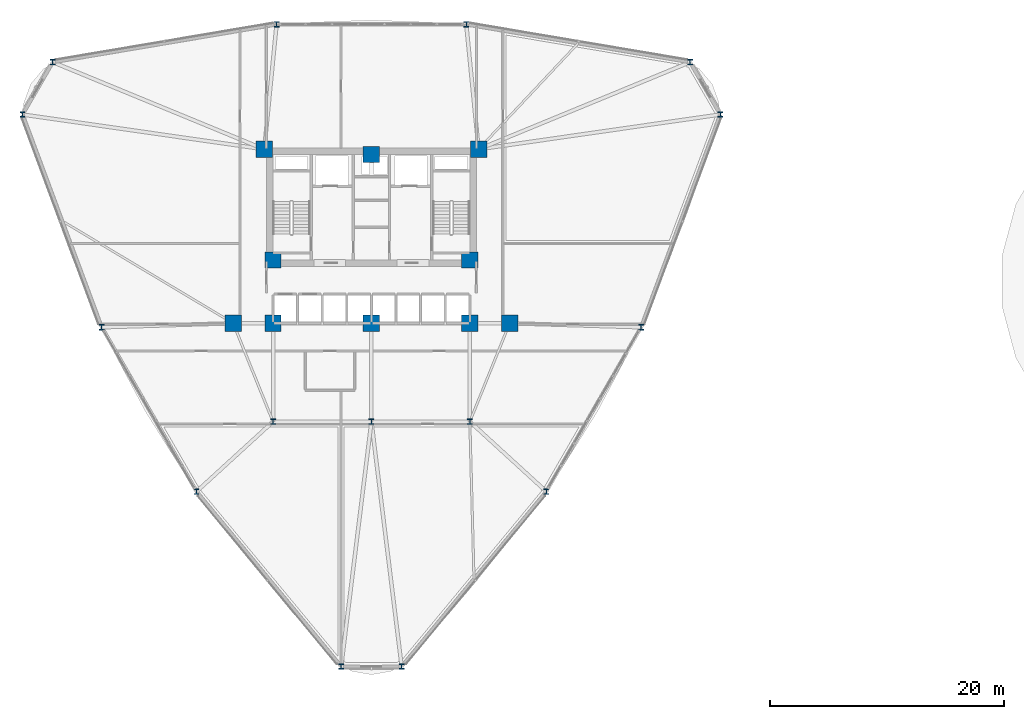
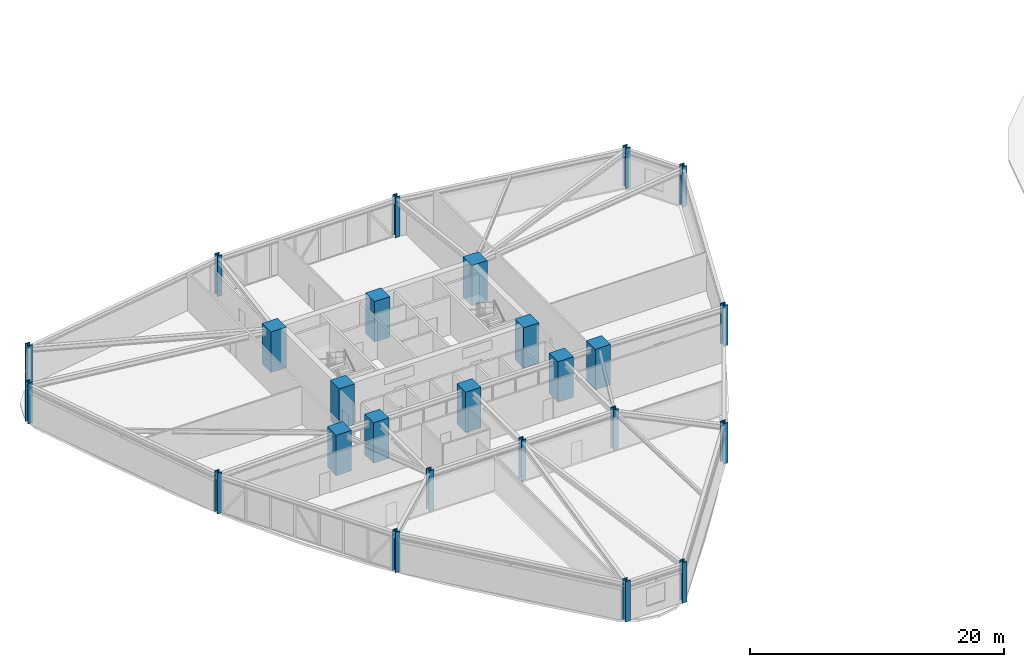
# One storey, part 1 of 23: 25 columns.
"""IFC4 building model written with IfcOpenShell, lengths in metres."""

import ifcopenshell
import ifcopenshell.guid

model = None  # the IFC model being written
_history = None  # IfcOwnerHistory: only IFC2X3 demands one
_inside = {}  # id of a spatial element -> (the spatial element, [elements in it])
_under = {}  # id of a project, library or spatial element -> (it, [spatial elements below it])
_declared = {}  # id of a project -> (the project, [libraries it declares])
_typed = {}  # id of a type object -> (the type object, [elements of that type])
_made_of = {}  # id of a material, layer set ... -> (it, [elements and type objects made of it])


def new_model(schema):
    """Start an empty IFC model of exactly this schema.

    Asked for "IFC4X3", IfcOpenShell would pick the latest addendum, in which some entities
    have other attributes; the version numbers below select the first issue.
    IFC2X3 requires an IfcOwnerHistory on every rooted entity: one is made here for all.
    """
    global model, _history
    if schema == "IFC4X3":
        model = ifcopenshell.file(schema_version=(4, 3, 0, 0))
    else:
        model = ifcopenshell.file(schema=schema)
    _inside.clear()
    _under.clear()
    _declared.clear()
    _typed.clear()
    _made_of.clear()
    _history = None
    if model.schema == "IFC2X3":
        org = make("IfcOrganization", Name="unknown")
        user = make(
            "IfcPersonAndOrganization",
            ThePerson=make("IfcPerson", FamilyName="unknown"),
            TheOrganization=org,
        )
        app = make(
            "IfcApplication",
            ApplicationDeveloper=org,
            Version="unknown",
            ApplicationFullName="unknown",
            ApplicationIdentifier="unknown",
        )
        _history = make(
            "IfcOwnerHistory",
            OwningUser=user,
            OwningApplication=app,
            ChangeAction="ADDED",
            CreationDate=0,
        )
    return model


def make(cls, **values):
    """One entity of the class cls with the attributes given. An attribute that is None is left unset."""
    return model.create_entity(
        cls, **{name: value for name, value in values.items() if value is not None}
    )


def rooted(cls, **values):
    """An entity with a GlobalId (a new one), such as an element, a storey or a relation."""
    return make(cls, GlobalId=ifcopenshell.guid.new(), OwnerHistory=_history, **values)


def si_unit(unit_type, name, prefix=None):
    """IfcSIUnit, for example si_unit("LENGTHUNIT", "METRE", prefix="MILLI")."""
    return make("IfcSIUnit", UnitType=unit_type, Prefix=prefix, Name=name)


def derived_unit(unit_type, elements):
    """IfcDerivedUnit: a product of units, each with its exponent."""
    return make(
        "IfcDerivedUnit",
        Elements=[
            make("IfcDerivedUnitElement", Unit=unit, Exponent=power)
            for unit, power in elements
        ],
        UnitType=unit_type,
    )


def assignment(units):
    """IfcUnitAssignment: the units of a project."""
    return None if units is None else make("IfcUnitAssignment", Units=units)


def point(xyz):
    """IfcCartesianPoint."""
    return None if xyz is None else make("IfcCartesianPoint", Coordinates=xyz)


def direction(xyz):
    """IfcDirection."""
    return None if xyz is None else make("IfcDirection", DirectionRatios=xyz)


def frame(location, z_axis=None, x_axis=None):
    """IfcAxis2Placement3D, a coordinate frame: its origin and axes. An axis left out is left unset."""
    return make(
        "IfcAxis2Placement3D",
        Location=point(location),
        Axis=direction(z_axis),
        RefDirection=direction(x_axis),
    )


def frame_2d(location, x_axis=None):
    """IfcAxis2Placement2D, a coordinate frame in the plane: its origin and x axis."""
    return make(
        "IfcAxis2Placement2D", Location=point(location), RefDirection=direction(x_axis)
    )


def origin():
    """The frame at (0, 0, 0) with its axes left unset."""
    return frame((0.0, 0.0, 0.0))


def origin_2d():
    """The frame at (0, 0) in the plane with its x axis left unset."""
    return frame_2d((0.0, 0.0))


def place(relative_to, where):
    """IfcLocalPlacement: puts the frame where relative to a parent placement (None: the world)."""
    return make(
        "IfcLocalPlacement", PlacementRelTo=relative_to, RelativePlacement=where
    )


def context(
    kind, dimensions, precision=None, world=None, true_north=None, identifier=None
):
    """IfcGeometricRepresentationContext, for example the 3D "Model" context."""
    return make(
        "IfcGeometricRepresentationContext",
        ContextIdentifier=identifier,
        ContextType=kind,
        CoordinateSpaceDimension=dimensions,
        Precision=precision,
        WorldCoordinateSystem=world,
        TrueNorth=true_north,
    )


def subcontext(parent, identifier, kind, view, scale=None):
    """IfcGeometricRepresentationSubContext, for example "Body" below "Model"."""
    return make(
        "IfcGeometricRepresentationSubContext",
        ContextIdentifier=identifier,
        ContextType=kind,
        ParentContext=parent,
        TargetScale=scale,
        TargetView=view,
    )


def project(units=None, contexts=None):
    """IfcProject with its units and contexts."""
    return rooted(
        "IfcProject",
        Name="project",
        RepresentationContexts=contexts,
        UnitsInContext=assignment(units),
    )


def spatial(cls, under=None, at=None, **own):
    """A site, building, storey or space (cls), placed at a placement, below another one or the project."""
    s = rooted(cls, ObjectPlacement=at, **own)
    if under is not None:
        _under.setdefault(under.id(), (under, []))[1].append(s)
    return s


def profile(cls, at=None, kind="AREA", **sizes):
    """A parametric profile (cls). Its sizes go by their IFC names, for example OverallWidth=200.0."""
    return make(cls, ProfileType=kind, Position=at, **sizes)


def rectangle(**sizes):
    """IfcRectangleProfileDef."""
    return profile("IfcRectangleProfileDef", **sizes)


def i_section(**sizes):
    """IfcIShapeProfileDef."""
    return profile("IfcIShapeProfileDef", **sizes)


def extrude(swept, where, along, depth):
    """IfcExtrudedAreaSolid: the profile swept, set in the frame where, extruded along a direction by depth."""
    return make(
        "IfcExtrudedAreaSolid",
        SweptArea=swept,
        Position=where,
        ExtrudedDirection=direction(along),
        Depth=depth,
    )


def shape(context_of_items, identifier, shape_type, items):
    """IfcShapeRepresentation: the items that make up one representation, for example the "Body"."""
    return make(
        "IfcShapeRepresentation",
        ContextOfItems=context_of_items,
        RepresentationIdentifier=identifier,
        RepresentationType=shape_type,
        Items=items,
    )


def source(mapping_origin, context_of_items, identifier, shape_type, items):
    """IfcRepresentationMap: a shape defined once, which mapped items show again and again."""
    return make(
        "IfcRepresentationMap",
        MappingOrigin=mapping_origin,
        MappedRepresentation=shape(context_of_items, identifier, shape_type, items),
    )


def transform(
    local_origin,
    x_axis=None,
    y_axis=None,
    z_axis=None,
    scale=None,
    scale2=None,
    scale3=None,
    uniform=True,
):
    """IfcCartesianTransformationOperator3D, or its non-uniform kind. x_axis, y_axis, z_axis: its Axis1, 2, 3."""
    if uniform:
        return make(
            "IfcCartesianTransformationOperator3D",
            Axis1=direction(x_axis),
            Axis2=direction(y_axis),
            LocalOrigin=point(local_origin),
            Scale=scale,
            Axis3=direction(z_axis),
        )
    return make(
        "IfcCartesianTransformationOperator3DnonUniform",
        Axis1=direction(x_axis),
        Axis2=direction(y_axis),
        LocalOrigin=point(local_origin),
        Scale=scale,
        Axis3=direction(z_axis),
        Scale2=scale2,
        Scale3=scale3,
    )


def mapped(mapping_source, mapping_target):
    """IfcMappedItem: shows the shape of a source again, moved by a transform."""
    return make(
        "IfcMappedItem", MappingSource=mapping_source, MappingTarget=mapping_target
    )


def material(Name=None, Category=None):
    """IfcMaterial."""
    return make("IfcMaterial", Name=Name, Category=Category)


def material_profile(
    of_material, cross_section, Name=None, Category=None, Priority=None
):
    """IfcMaterialProfile: a cross section and its material."""
    return make(
        "IfcMaterialProfile",
        Name=Name,
        Material=of_material,
        Profile=cross_section,
        Priority=Priority,
        Category=Category,
    )


def profile_set(profiles, Name=None, composite=None):
    """IfcMaterialProfileSet."""
    return make(
        "IfcMaterialProfileSet",
        Name=Name,
        MaterialProfiles=profiles,
        CompositeProfile=composite,
    )


def made_of(thing, what):
    """Note that an element or type object is made of a material, layer set ...; save() writes the relation."""
    if what is not None:
        _made_of.setdefault(what.id(), (what, []))[1].append(thing)
    return thing


def type_object(cls, material=None, **own):
    """A type object (cls), such as IfcWallType, which elements share."""
    return made_of(rooted(cls, **own), material)


def element(
    cls,
    number,
    at=None,
    inside=None,
    cuts=None,
    type_object=None,
    material=None,
    context=None,
    identifier="Body",
    shape_type=None,
    held_by="IfcProductDefinitionShape",
    body=None,
    shapes=None,
    **own,
):
    """One element of the class cls, such as IfcWall. Its Tag is "e" and its number.

    at: its placement. inside: the storey or other place that contains it. cuts: it is an
    opening in that element (IfcRelVoidsElement). A single representation is given by context,
    identifier, shape_type and body (its items); several are given by shapes. held_by: the class
    of the entity that holds the representations. save() writes the other relations.
    """
    e = rooted(cls, Tag="e%d" % number, ObjectPlacement=at, **own)
    if body is not None:
        shapes = [shape(context, identifier, shape_type, body)]
    if shapes is not None:
        e.Representation = make(held_by, Representations=shapes)
    if inside is not None:
        _inside.setdefault(inside.id(), (inside, []))[1].append(e)
    if cuts is not None:
        rooted(
            "IfcRelVoidsElement", RelatingBuildingElement=cuts, RelatedOpeningElement=e
        )
    if type_object is not None:
        _typed.setdefault(type_object.id(), (type_object, []))[1].append(e)
    return made_of(e, material)


def aggregate(whole, parts):
    """IfcRelAggregates: a whole, such as a stair, and the parts it consists of."""
    return rooted("IfcRelAggregates", RelatingObject=whole, RelatedObjects=parts)


def save(model, path):
    """Write the relations noted so far, then the file.

    IfcRelAggregates (storeys below a building ...), IfcRelContainedInSpatialStructure (elements
    in a storey), IfcRelDefinesByType, IfcRelAssociatesMaterial and IfcRelDeclares: one each for
    every whole, place, type object, material and project.
    """
    for whole, parts in _under.values():
        aggregate(whole, parts)
    for where, things in _inside.values():
        rooted(
            "IfcRelContainedInSpatialStructure",
            RelatedElements=things,
            RelatingStructure=where,
        )
    for kind, things in _typed.values():
        rooted("IfcRelDefinesByType", RelatedObjects=things, RelatingType=kind)
    for what, things in _made_of.values():
        rooted("IfcRelAssociatesMaterial", RelatedObjects=things, RelatingMaterial=what)
    for by, libraries in _declared.values():
        rooted("IfcRelDeclares", RelatingContext=by, RelatedDefinitions=libraries)
    model.write(path)


model = new_model("IFC4")

# Units and contexts
model_context = context("Model", 3, precision=1e-05, world=origin(), true_north=direction((0.0, 1.0)))
body_context = subcontext(model_context, "Body", "Model", "MODEL_VIEW")
ifc_project = project(units=[si_unit("LENGTHUNIT", "METRE"), si_unit("AREAUNIT", "SQUARE_METRE"), si_unit("VOLUMEUNIT", "CUBIC_METRE"), si_unit("PLANEANGLEUNIT", "RADIAN"), si_unit("MASSUNIT", "GRAM", prefix="KILO"), derived_unit("THERMALTRANSMITTANCEUNIT", [(si_unit("POWERUNIT", "WATT"), 1), (si_unit("LENGTHUNIT", "METRE"), -2), (si_unit("THERMODYNAMICTEMPERATUREUNIT", "KELVIN"), -1)])], contexts=[model_context])

# Site, building, storey
site_placement = place(None, origin())
site = spatial("IfcSite", under=ifc_project, at=site_placement, CompositionType="ELEMENT")
building_placement = place(site_placement, origin())
building = spatial("IfcBuilding", under=site, at=building_placement, Name="Korsvarv Bourse and Concert Hall", CompositionType="ELEMENT")
storey_placement = place(building_placement, frame((0.0, 0.0, 24.0)))
storey = spatial("IfcBuildingStorey", under=building, at=storey_placement, Name="L05", CompositionType="ELEMENT", Elevation=24.0)

# Columns
ifc_material_1 = material(Name="Concrete C60/75", Category="concrete")
ifc_material_profile_1 = material_profile(ifc_material_1, rectangle(XDim=1.39990234375, YDim=1.39990234375, at=origin_2d()), Name="RC 1400x1400")
ifc_profile_set_1 = profile_set([ifc_material_profile_1], Name="Concrete C60/75")
column_type_1 = type_object("IfcColumnType", Name="COL-RC1400", PredefinedType="COLUMN", material=ifc_profile_set_1)
shared_shape_1 = source(origin(), body_context, "Body", "SweptSolid", [
    extrude(rectangle(XDim=1.39990234375, YDim=1.39990234375, at=origin_2d()), origin(), (0.0, 0.0, 1.0), 3.89990234375),
])
for number, where, z_axis, x_axis, name in (
    (1, (26.85009765625, 47.25, 0.0), (0.0, 0.0, 1.0), (1.0, 0.0, 0.0), "L05 column C-01"),
    (2, (45.14990234375, 47.25, 0.0), (0.0, 0.0, 1.0), (1.0, 0.0, 0.0), "L05 column C-01"),
    (3, (27.60009765625, 37.800048828125, 0.0), (0.0, 0.0, 1.0), (1.0, 0.0, 0.0), "L05 column C-01"),
    (4, (44.39990234375, 37.800048828125, 0.0), (0.0, 0.0, 1.0), (1.0, 0.0, 0.0), "L05 column C-01"),
    (5, (27.60009765625, 32.39990234375, 0.0), (0.0, 0.0, 1.0), (1.0, 0.0, 0.0), "L05 column C-01"),
    (6, (44.39990234375, 32.39990234375, 0.0), (0.0, 0.0, 1.0), (1.0, 0.0, 0.0), "L05 column C-01"),
    (7, (36.0, 46.800048828125, 0.0), (0.0, 0.0, 1.0), (1.0, 0.0, 0.0), "L05 column C-01"),
    (8, (36.0, 32.39990234375, 0.0), (0.0, 0.0, 1.0), (1.0, 0.0, 0.0), "L05 column C-01"),
    (9, (24.199951171875, 32.39990234375, 0.0), (0.0, 0.0, 1.0), (1.0, 0.0, 0.0), "L05 column C-01"),
    (10, (47.800048828125, 32.39990234375, 0.0), (0.0, 0.0, 1.0), (1.0, 0.0, 0.0), "L05 column C-01"),
):
    element("IfcColumn", number, at=place(storey_placement, frame(where, z_axis=z_axis, x_axis=x_axis)), inside=storey, type_object=column_type_1, Name=name, PredefinedType="COLUMN", context=body_context, shape_type="MappedRepresentation", body=[
        mapped(shared_shape_1, transform((0.0, 0.0, 0.0), scale=1.0)),
    ])
ifc_material_2 = material(Name="Steel S460", Category="steel")
ifc_material_profile_2 = material_profile(ifc_material_2, i_section(OverallWidth=0.424072265625, OverallDepth=0.47412109375, WebThickness=0.044921875, FlangeThickness=0.072021484375, FilletRadius=0.014892578125, at=origin_2d()), Name="HD 400x634")
ifc_profile_set_2 = profile_set([ifc_material_profile_2], Name="Steel S460")
column_type_2 = type_object("IfcColumnType", Name="COL-HD634", PredefinedType="COLUMN", material=ifc_profile_set_2)
shared_shape_2 = source(origin(), body_context, "Body", "SweptSolid", [
    extrude(i_section(OverallWidth=0.424072265625, OverallDepth=0.47412109375, WebThickness=0.044921875, FlangeThickness=0.072021484375, FilletRadius=0.014892578125, at=origin_2d()), origin(), (0.0, 0.0, 1.0), 3.89990234375),
])
for number, where, z_axis, x_axis, name in (
    (11, (27.60009765625, 24.0, 0.0), (0.0, 0.0, 1.0), (1.0, 0.0, 0.0), "L05 column C-07"),
    (12, (44.39990234375, 24.0, 0.0), (0.0, 0.0, 1.0), (1.0, 0.0, 0.0), "L05 column C-07"),
    (13, (36.0, 24.0, 0.0), (0.0, 0.0, 1.0), (1.0, 0.0, 0.0), "L05 column C-07"),
    (14, (65.78857421875, 50.21728515625, 0.0), (0.0, 0.0, 1.0), (1.0, 0.0, 0.0), "L05 column C-07"),
    (15, (63.206787109375, 54.689208984375, 0.0), (0.0, 0.0, 1.0), (1.0, 0.0, 0.0), "L05 column C-07"),
    (16, (44.097412109375, 57.9169921875, 0.0), (0.0, 0.0, 1.0), (1.0, 0.0, 0.0), "L05 column C-07"),
    (17, (27.902587890625, 57.9169921875, 0.0), (0.0, 0.0, 1.0), (1.0, 0.0, 0.0), "L05 column C-07"),
    (18, (8.793212890625, 54.689208984375, 0.0), (0.0, 0.0, 1.0), (1.0, 0.0, 0.0), "L05 column C-07"),
    (19, (6.21142578125, 50.21728515625, 0.0), (0.0, 0.0, 1.0), (1.0, 0.0, 0.0), "L05 column C-07"),
    (20, (12.970458984375, 32.05419921875, 0.0), (0.0, 0.0, 1.0), (1.0, 0.0, 0.0), "L05 column C-07"),
    (21, (21.06787109375, 18.02880859375, 0.0), (0.0, 0.0, 1.0), (1.0, 0.0, 0.0), "L05 column C-07"),
    (22, (33.418212890625, 3.09375, 0.0), (0.0, 0.0, 1.0), (1.0, 0.0, 0.0), "L05 column C-07"),
    (23, (38.581787109375, 3.09375, 0.0), (0.0, 0.0, 1.0), (1.0, 0.0, 0.0), "L05 column C-07"),
    (24, (50.93212890625, 18.02880859375, 0.0), (0.0, 0.0, 1.0), (1.0, 0.0, 0.0), "L05 column C-07"),
    (25, (59.029541015625, 32.05419921875, 0.0), (0.0, 0.0, 1.0), (1.0, 0.0, 0.0), "L05 column C-07"),
):
    element("IfcColumn", number, at=place(storey_placement, frame(where, z_axis=z_axis, x_axis=x_axis)), inside=storey, type_object=column_type_2, Name=name, PredefinedType="COLUMN", context=body_context, shape_type="MappedRepresentation", body=[
        mapped(shared_shape_2, transform((0.0, 0.0, 0.0), scale=1.0)),
    ])

save(model, "model.ifc")
